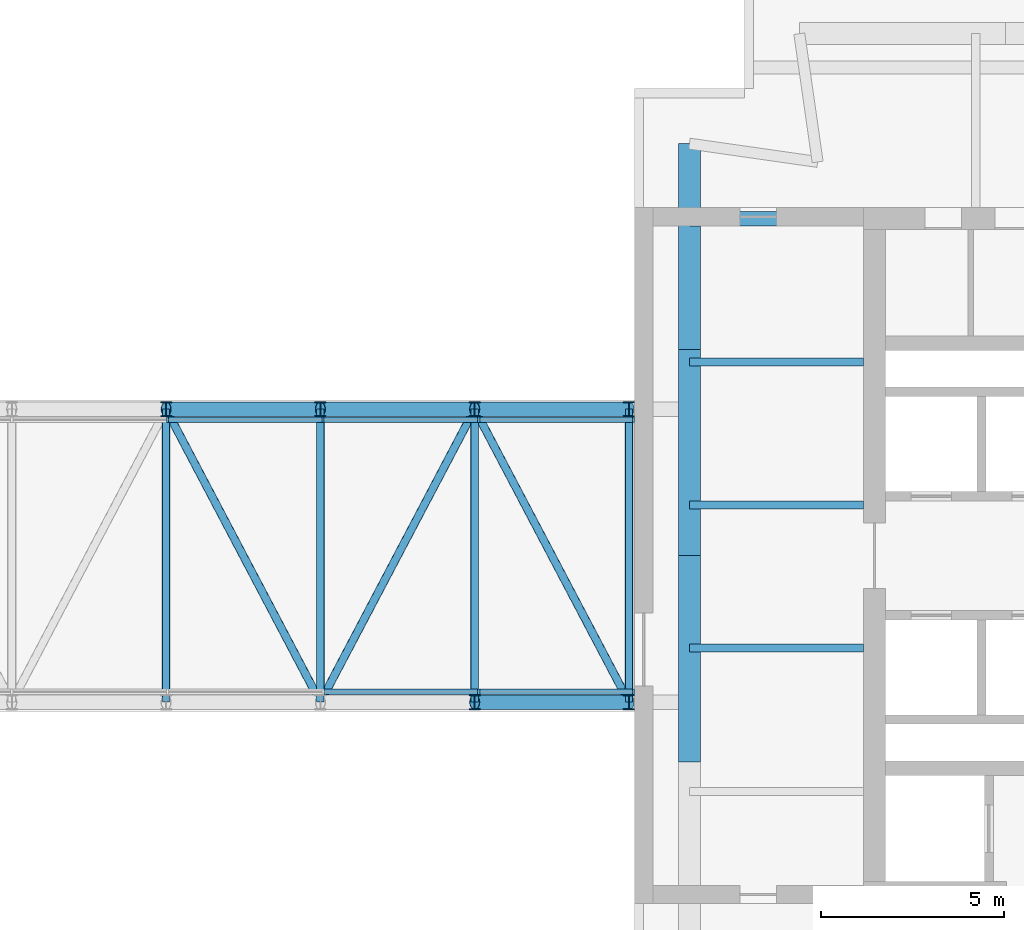
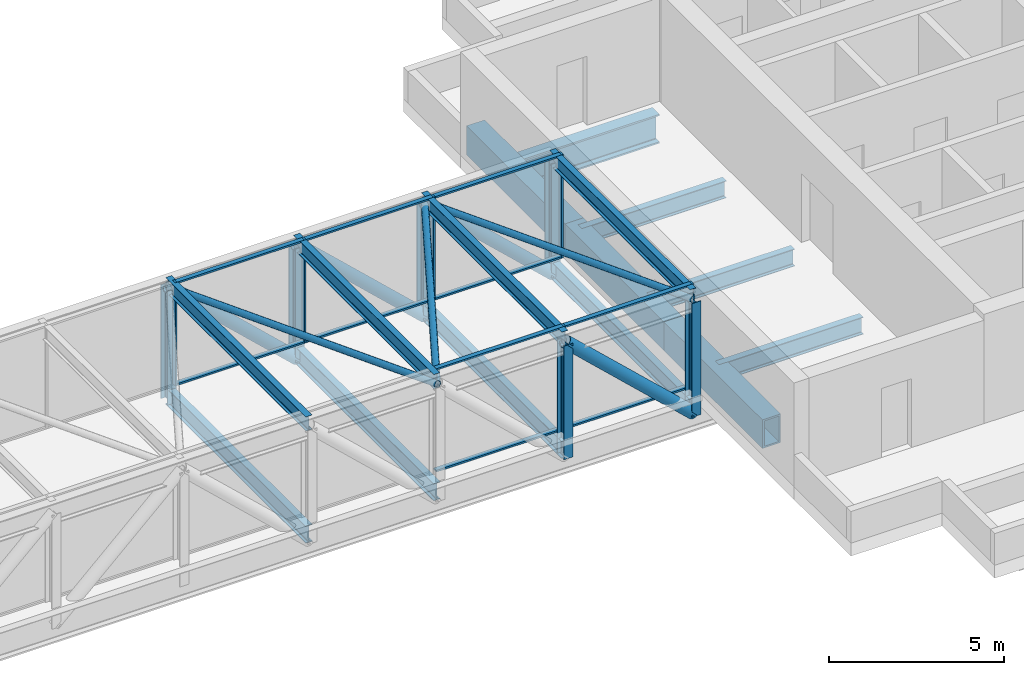
# One storey, part 9 of 19: 29 members, 15 beams, 2 elements without a shape of their own.
"""IFC4 building model written with IfcOpenShell, lengths in metres."""

from ifc_helpers import new_model, si_unit, direction, frame, origin, origin_2d, place, context, subcontext, project, spatial, rectangle, hollow_rectangle, hollow_circle, i_section, extrude, material, material_profile, profile_set, type_object, element, aggregate, save


model = new_model("IFC4")

# Units and contexts
model_context = context("Model", 3, precision=1e-05, world=origin(), true_north=direction((0.0, 1.0)))
body_context = subcontext(model_context, "Body", "Model", "MODEL_VIEW")
ifc_project = project(units=[si_unit("LENGTHUNIT", "METRE"), si_unit("AREAUNIT", "SQUARE_METRE"), si_unit("VOLUMEUNIT", "CUBIC_METRE"), si_unit("PLANEANGLEUNIT", "RADIAN"), si_unit("MASSUNIT", "GRAM", prefix="KILO")], contexts=[model_context])

# Site, building, storey
site_placement = place(None, origin())
site = spatial("IfcSite", under=ifc_project, at=site_placement, CompositionType="ELEMENT")
building_placement = place(site_placement, origin())
building = spatial("IfcBuilding", under=site, at=building_placement, Name="Ostroluk Exchange", CompositionType="ELEMENT")
storey_placement = place(building_placement, frame((0.0, 0.0, 131.199951171875)))
storey = spatial("IfcBuildingStorey", under=building, at=storey_placement, Name="L33", CompositionType="ELEMENT", Elevation=131.199951171875)

# Beams
ifc_material_1 = material(Name="Steel S355", Category="steel")
ifc_material_profile_1 = material_profile(ifc_material_1, i_section(OverallWidth=0.199951171875, OverallDepth=0.5, WebThickness=0.01025390625, FlangeThickness=0.01611328125, FilletRadius=0.02099609375, at=origin_2d()), Name="IPE 500")
ifc_profile_set_1 = profile_set([ifc_material_profile_1], Name="Steel S355")
beam_type_1 = type_object("IfcBeamType", Name="Bridge cross beam IPE 500", PredefinedType="BEAM", material=ifc_profile_set_1)
for number, where, z_axis, x_axis, name in (
    (1, (88.46240234375, 42.0, 3.35009765625), (0.0, 1.0, 0.0), (-1.0, 0.0, 0.0), "BR2 roof cross beam 6"),
    (2, (92.675048828125, 42.0, 3.35009765625), (0.0, 1.0, 0.0), (-1.0, 0.0, 0.0), "BR2 roof cross beam 7"),
    (3, (96.887451171875, 42.0, 3.35009765625), (0.0, 1.0, 0.0), (-1.0, 0.0, 0.0), "BR2 roof cross beam 8"),
    (4, (101.10009765625, 42.0, 3.35009765625), (0.0, 1.0, 0.0), (-1.0, 0.0, 0.0), "BR2 roof cross beam 9"),
):
    element("IfcBeam", number, at=place(storey_placement, frame(where, z_axis=z_axis, x_axis=x_axis)), inside=storey, type_object=beam_type_1, Name=name, PredefinedType="BEAM", context=body_context, shape_type="SweptSolid", body=[
        extrude(i_section(OverallWidth=0.199951171875, OverallDepth=0.5, WebThickness=0.01025390625, FlangeThickness=0.01611328125, FilletRadius=0.02099609375, at=origin_2d()), origin(), (0.0, 0.0, 1.0), 8.0),
    ])
ifc_material_2 = material(Name="Steel S355", Category="steel")
ifc_material_profile_2 = material_profile(ifc_material_2, i_section(OverallWidth=0.219970703125, OverallDepth=0.60009765625, WebThickness=0.011962890625, FlangeThickness=0.01904296875, FilletRadius=0.02392578125, at=origin_2d()), Name="IPE 600")
ifc_profile_set_2 = profile_set([ifc_material_profile_2], Name="Steel S355")
beam_type_2 = type_object("IfcBeamType", Name="Bridge cross beam IPE 600", PredefinedType="BEAM", material=ifc_profile_set_2)
for number, where, z_axis, x_axis, name in (
    (5, (88.46240234375, 42.0, -0.5), (0.0, 1.0, 0.0), (-1.0, 0.0, 0.0), "BR2 deck cross beam 6"),
    (6, (92.675048828125, 42.0, -0.5), (0.0, 1.0, 0.0), (-1.0, 0.0, 0.0), "BR2 deck cross beam 7"),
    (7, (96.887451171875, 42.0, -0.5), (0.0, 1.0, 0.0), (-1.0, 0.0, 0.0), "BR2 deck cross beam 8"),
    (8, (101.10009765625, 42.0, -0.5), (0.0, 1.0, 0.0), (-1.0, 0.0, 0.0), "BR2 deck cross beam 9"),
):
    element("IfcBeam", number, at=place(storey_placement, frame(where, z_axis=z_axis, x_axis=x_axis)), inside=storey, type_object=beam_type_2, Name=name, PredefinedType="BEAM", context=body_context, shape_type="SweptSolid", body=[
        extrude(i_section(OverallWidth=0.219970703125, OverallDepth=0.60009765625, WebThickness=0.011962890625, FlangeThickness=0.01904296875, FilletRadius=0.02392578125, at=origin_2d()), origin(), (0.0, 0.0, 1.0), 8.0),
    ])

# Curtain wall, members
ifc_material_3 = material(Name="Laminated clear glass", Category="glass")
curtain_wall_type = type_object("IfcCurtainWallType", Name="Bridge glazing", PredefinedType="USERDEFINED", material=ifc_material_3)
curtain_wall_1_placement = place(storey_placement, origin())
curtain_wall_1 = element("IfcCurtainWall", 9, at=curtain_wall_1_placement, inside=storey, type_object=curtain_wall_type, Name="Sky garden bridge south glazing", ObjectType="STICK CURTAIN WALL", PredefinedType="USERDEFINED")
ifc_material_4 = material(Name="Aluminium mullion", Category="aluminium")
ifc_material_profile_3 = material_profile(ifc_material_4, rectangle(XDim=0.14990234375, YDim=0.06005859375, at=origin_2d()), Name="Bridge mullion 60 x 150")
ifc_profile_set_3 = profile_set([ifc_material_profile_3], Name="Aluminium mullion")
member_type_1 = type_object("IfcMemberType", Name="Bridge mullion 60 x 150", PredefinedType="MULLION", material=ifc_profile_set_3)
member_1_placement = place(storey_placement, frame((97.0, 42.2900390625, 0.0), z_axis=(0.0, 0.0, 1.0), x_axis=(0.0, 1.0, 0.0)))
member_1 = element("IfcMember", 10, at=member_1_placement, type_object=member_type_1, Name="CW-BR1 mullion 8", PredefinedType="MULLION", context=body_context, shape_type="SweptSolid", body=[
    extrude(rectangle(XDim=0.14990234375, YDim=0.06005859375, at=origin_2d()), origin(), (0.0, 0.0, 1.0), 3.60009765625),
])
member_2_placement = place(storey_placement, frame((101.219970703125, 42.2900390625, 0.0), z_axis=(0.0, 0.0, 1.0), x_axis=(0.0, 1.0, 0.0)))
member_2 = element("IfcMember", 11, at=member_2_placement, type_object=member_type_1, Name="CW-BR1 mullion 9", PredefinedType="MULLION", context=body_context, shape_type="SweptSolid", body=[
    extrude(rectangle(XDim=0.14990234375, YDim=0.06005859375, at=origin_2d()), origin(), (0.0, 0.0, 1.0), 3.60009765625),
])

curtain_wall_2_placement = place(storey_placement, origin())
curtain_wall_2 = element("IfcCurtainWall", 12, at=curtain_wall_2_placement, inside=storey, type_object=curtain_wall_type, Name="Sky garden bridge north glazing", ObjectType="STICK CURTAIN WALL", PredefinedType="USERDEFINED")
member_3_placement = place(storey_placement, frame((101.219970703125, 49.7099609375, 0.0), z_axis=(0.0, 0.0, 1.0), x_axis=(0.0, -1.0, 0.0)))
member_3 = element("IfcMember", 13, at=member_3_placement, type_object=member_type_1, Name="CW-BR1 mullion 1", PredefinedType="MULLION", context=body_context, shape_type="SweptSolid", body=[
    extrude(rectangle(XDim=0.14990234375, YDim=0.06005859375, at=origin_2d()), origin(), (0.0, 0.0, 1.0), 3.60009765625),
])
member_4_placement = place(storey_placement, frame((97.0, 49.7099609375, 0.0), z_axis=(0.0, 0.0, 1.0), x_axis=(0.0, -1.0, 0.0)))
member_4 = element("IfcMember", 14, at=member_4_placement, type_object=member_type_1, Name="CW-BR1 mullion 2", PredefinedType="MULLION", context=body_context, shape_type="SweptSolid", body=[
    extrude(rectangle(XDim=0.14990234375, YDim=0.06005859375, at=origin_2d()), origin(), (0.0, 0.0, 1.0), 3.60009765625),
])
member_5_placement = place(storey_placement, frame((92.75, 49.7099609375, 0.0), z_axis=(0.0, 0.0, 1.0), x_axis=(0.0, -1.0, 0.0)))
member_5 = element("IfcMember", 15, at=member_5_placement, type_object=member_type_1, Name="CW-BR1 mullion 3", PredefinedType="MULLION", context=body_context, shape_type="SweptSolid", body=[
    extrude(rectangle(XDim=0.14990234375, YDim=0.06005859375, at=origin_2d()), origin(), (0.0, 0.0, 1.0), 3.60009765625),
])
member_6_placement = place(storey_placement, frame((88.5, 49.7099609375, 0.0), z_axis=(0.0, 0.0, 1.0), x_axis=(0.0, -1.0, 0.0)))
member_6 = element("IfcMember", 16, at=member_6_placement, type_object=member_type_1, Name="CW-BR1 mullion 4", PredefinedType="MULLION", context=body_context, shape_type="SweptSolid", body=[
    extrude(rectangle(XDim=0.14990234375, YDim=0.06005859375, at=origin_2d()), origin(), (0.0, 0.0, 1.0), 3.60009765625),
])

# Members
ifc_material_5 = material(Name="Steel S460", Category="steel")
ifc_material_profile_4 = material_profile(ifc_material_5, hollow_circle(Radius=0.109619140625, WallThickness=0.010009765625, at=origin_2d()), Name="CHS 219.1x10")
ifc_profile_set_4 = profile_set([ifc_material_profile_4], Name="Steel S460")
member_type_2 = type_object("IfcMemberType", Name="Bridge plan bracing CHS 219.1x10", PredefinedType="BRACE", material=ifc_profile_set_4)
for number, where, z_axis, x_axis, name in (
    (17, (88.46240234375, 50.0, 3.25), (0.465930052274, -0.88482155624, 0.0), (0.88482155624, 0.465930052274, 0.0), "BR2 roof plan brace 6"),
    (18, (92.675048828125, 42.0, 3.25), (0.465908911283, 0.884832688358, 0.0), (-0.884832688358, 0.465908911283, 0.0), "BR2 roof plan brace 7"),
    (19, (96.887451171875, 50.0, 3.25), (0.465930052274, -0.88482155624, 0.0), (0.88482155624, 0.465930052274, 0.0), "BR2 roof plan brace 8"),
):
    element("IfcMember", number, at=place(storey_placement, frame(where, z_axis=z_axis, x_axis=x_axis)), inside=storey, type_object=member_type_2, Name=name, PredefinedType="BRACE", context=body_context, shape_type="SweptSolid", body=[
        extrude(hollow_circle(Radius=0.109619140625, WallThickness=0.010009765625, at=origin_2d()), origin(), (0.0, 0.0, 1.0), 9.041259765625),
    ])

# Member
ifc_material_6 = material(Name="Aluminium mullion", Category="aluminium")
ifc_material_profile_5 = material_profile(ifc_material_6, rectangle(XDim=0.14990234375, YDim=0.06005859375, at=origin_2d()), Name="Bridge transom 60 x 150")
ifc_profile_set_5 = profile_set([ifc_material_profile_5], Name="Aluminium mullion")
member_type_3 = type_object("IfcMemberType", Name="Bridge transom 60 x 150", PredefinedType="USERDEFINED", material=ifc_profile_set_5)
member_7_placement = place(storey_placement, frame((92.780029296875, 42.2900390625, 0.030029296875), z_axis=(1.0, 0.0, 0.0), x_axis=(0.0, 1.0, 0.0)))
member_7 = element("IfcMember", 20, at=member_7_placement, type_object=member_type_3, Name="CW-BR1 transom 7.1", ObjectType="TRANSOM", PredefinedType="USERDEFINED", context=body_context, shape_type="SweptSolid", body=[
    extrude(rectangle(XDim=0.14990234375, YDim=0.06005859375, at=origin_2d()), origin(), (0.0, 0.0, 1.0), 4.18994140625),
])

member_8_placement = place(storey_placement, frame((92.780029296875, 42.2900390625, 3.570068359375), z_axis=(1.0, 0.0, 0.0), x_axis=(0.0, 1.0, 0.0)))
member_8 = element("IfcMember", 21, at=member_8_placement, type_object=member_type_3, Name="CW-BR1 transom 7.2", ObjectType="TRANSOM", PredefinedType="USERDEFINED", context=body_context, shape_type="SweptSolid", body=[
    extrude(rectangle(XDim=0.14990234375, YDim=0.06005859375, at=origin_2d()), origin(), (0.0, 0.0, 1.0), 4.18994140625),
])

member_9_placement = place(storey_placement, frame((97.030029296875, 42.2900390625, 0.030029296875), z_axis=(1.0, 0.0, 0.0), x_axis=(0.0, 1.0, 0.0)))
member_9 = element("IfcMember", 22, at=member_9_placement, type_object=member_type_3, Name="CW-BR1 transom 8.1", ObjectType="TRANSOM", PredefinedType="USERDEFINED", context=body_context, shape_type="SweptSolid", body=[
    extrude(rectangle(XDim=0.14990234375, YDim=0.06005859375, at=origin_2d()), origin(), (0.0, 0.0, 1.0), 4.159912109375),
])

member_10_placement = place(storey_placement, frame((97.030029296875, 42.2900390625, 3.570068359375), z_axis=(1.0, 0.0, 0.0), x_axis=(0.0, 1.0, 0.0)))
member_10 = element("IfcMember", 23, at=member_10_placement, type_object=member_type_3, Name="CW-BR1 transom 8.2", ObjectType="TRANSOM", PredefinedType="USERDEFINED", context=body_context, shape_type="SweptSolid", body=[
    extrude(rectangle(XDim=0.14990234375, YDim=0.06005859375, at=origin_2d()), origin(), (0.0, 0.0, 1.0), 4.159912109375),
])

aggregate(curtain_wall_1, [member_1, member_2, member_7, member_8, member_9, member_10])

member_11_placement = place(storey_placement, frame((101.18994140625, 49.7099609375, 0.030029296875), z_axis=(-1.0, 0.0, 0.0), x_axis=(0.0, -1.0, 0.0)))
member_11 = element("IfcMember", 24, at=member_11_placement, type_object=member_type_3, Name="CW-BR1 transom 1.1", ObjectType="TRANSOM", PredefinedType="USERDEFINED", context=body_context, shape_type="SweptSolid", body=[
    extrude(rectangle(XDim=0.14990234375, YDim=0.06005859375, at=origin_2d()), origin(), (0.0, 0.0, 1.0), 4.159912109375),
])

member_12_placement = place(storey_placement, frame((101.18994140625, 49.7099609375, 3.570068359375), z_axis=(-1.0, 0.0, 0.0), x_axis=(0.0, -1.0, 0.0)))
member_12 = element("IfcMember", 25, at=member_12_placement, type_object=member_type_3, Name="CW-BR1 transom 1.2", ObjectType="TRANSOM", PredefinedType="USERDEFINED", context=body_context, shape_type="SweptSolid", body=[
    extrude(rectangle(XDim=0.14990234375, YDim=0.06005859375, at=origin_2d()), origin(), (0.0, 0.0, 1.0), 4.159912109375),
])

member_13_placement = place(storey_placement, frame((96.969970703125, 49.7099609375, 0.030029296875), z_axis=(-1.0, 0.0, 0.0), x_axis=(0.0, -1.0, 0.0)))
member_13 = element("IfcMember", 26, at=member_13_placement, type_object=member_type_3, Name="CW-BR1 transom 2.1", ObjectType="TRANSOM", PredefinedType="USERDEFINED", context=body_context, shape_type="SweptSolid", body=[
    extrude(rectangle(XDim=0.14990234375, YDim=0.06005859375, at=origin_2d()), origin(), (0.0, 0.0, 1.0), 4.18994140625),
])

member_14_placement = place(storey_placement, frame((96.969970703125, 49.7099609375, 3.570068359375), z_axis=(-1.0, 0.0, 0.0), x_axis=(0.0, -1.0, 0.0)))
member_14 = element("IfcMember", 27, at=member_14_placement, type_object=member_type_3, Name="CW-BR1 transom 2.2", ObjectType="TRANSOM", PredefinedType="USERDEFINED", context=body_context, shape_type="SweptSolid", body=[
    extrude(rectangle(XDim=0.14990234375, YDim=0.06005859375, at=origin_2d()), origin(), (0.0, 0.0, 1.0), 4.18994140625),
])

member_15_placement = place(storey_placement, frame((92.719970703125, 49.7099609375, 0.030029296875), z_axis=(-1.0, 0.0, 0.0), x_axis=(0.0, -1.0, 0.0)))
member_15 = element("IfcMember", 28, at=member_15_placement, type_object=member_type_3, Name="CW-BR1 transom 3.1", ObjectType="TRANSOM", PredefinedType="USERDEFINED", context=body_context, shape_type="SweptSolid", body=[
    extrude(rectangle(XDim=0.14990234375, YDim=0.06005859375, at=origin_2d()), origin(), (0.0, 0.0, 1.0), 4.18994140625),
])

member_16_placement = place(storey_placement, frame((92.719970703125, 49.7099609375, 3.570068359375), z_axis=(-1.0, 0.0, 0.0), x_axis=(0.0, -1.0, 0.0)))
member_16 = element("IfcMember", 29, at=member_16_placement, type_object=member_type_3, Name="CW-BR1 transom 3.2", ObjectType="TRANSOM", PredefinedType="USERDEFINED", context=body_context, shape_type="SweptSolid", body=[
    extrude(rectangle(XDim=0.14990234375, YDim=0.06005859375, at=origin_2d()), origin(), (0.0, 0.0, 1.0), 4.18994140625),
])

aggregate(curtain_wall_2, [member_3, member_4, member_5, member_6, member_11, member_12, member_13, member_14, member_15, member_16])

# Members
ifc_material_7 = material(Name="Steel S460", Category="steel")
ifc_material_profile_6 = material_profile(ifc_material_7, hollow_circle(Radius=0.203125, WallThickness=0.01611328125, at=origin_2d()), Name="CHS 406.4x16")
ifc_profile_set_6 = profile_set([ifc_material_profile_6], Name="Steel S460")
member_type_4 = type_object("IfcMemberType", Name="Bridge truss diagonal CHS 406.4x16", PredefinedType="BRACE", material=ifc_profile_set_6)
for number, where, z_axis, x_axis, name in (
    (30, (101.10009765625, 42.0, -0.7060546875), (-0.72895858284, 0.0, 0.684557802164), (0.0, -1.0, 0.0), "BR2 S diagonal 8"),
    (31, (92.675048828125, 50.0, -0.7060546875), (-0.72895858284, 0.0, 0.684557802164), (0.0, -1.0, 0.0), "BR2 N diagonal 6"),
):
    element("IfcMember", number, at=place(storey_placement, frame(where, z_axis=z_axis, x_axis=x_axis)), inside=storey, type_object=member_type_4, Name=name, PredefinedType="BRACE", context=body_context, shape_type="SweptSolid", body=[
        extrude(hollow_circle(Radius=0.203125, WallThickness=0.01611328125, at=origin_2d()), origin(), (0.0, 0.0, 1.0), 5.779052734375),
    ])
member_17_placement = place(storey_placement, frame((96.887451171875, 50.0, -0.7060546875), z_axis=(-0.728938784526, 0.0, 0.684578883996), x_axis=(0.0, -1.0, 0.0)))
element("IfcMember", 32, at=member_17_placement, inside=storey, type_object=member_type_4, Name="BR2 N diagonal 7", PredefinedType="BRACE", context=body_context, shape_type="SweptSolid", body=[
    extrude(hollow_circle(Radius=0.203125, WallThickness=0.01611328125, at=origin_2d()), origin(), (0.0, 0.0, 1.0), 5.77880859375),
])
member_18_placement = place(storey_placement, frame((101.10009765625, 50.0, -0.7060546875), z_axis=(-0.72895858284, 0.0, 0.684557802164), x_axis=(0.0, -1.0, 0.0)))
element("IfcMember", 33, at=member_18_placement, inside=storey, type_object=member_type_4, Name="BR2 N diagonal 8", PredefinedType="BRACE", context=body_context, shape_type="SweptSolid", body=[
    extrude(hollow_circle(Radius=0.203125, WallThickness=0.01611328125, at=origin_2d()), origin(), (0.0, 0.0, 1.0), 5.779052734375),
])
ifc_material_8 = material(Name="Steel S460", Category="steel")
ifc_material_profile_7 = material_profile(ifc_material_8, i_section(OverallWidth=0.300048828125, OverallDepth=0.39990234375, WebThickness=0.013427734375, FlangeThickness=0.02392578125, FilletRadius=0.027099609375, at=origin_2d()), Name="HEB 400")
ifc_profile_set_7 = profile_set([ifc_material_profile_7], Name="Steel S460")
member_type_5 = type_object("IfcMemberType", Name="Bridge truss post HEB 400", PredefinedType="POST", material=ifc_profile_set_7)
for number, where, z_axis, x_axis, name in (
    (34, (96.887451171875, 42.0, -0.7060546875), (0.0, 0.0, 1.0), (1.0, 0.0, 0.0), "BR2 S post 8"),
    (35, (101.10009765625, 42.0, -0.7060546875), (0.0, 0.0, 1.0), (1.0, 0.0, 0.0), "BR2 S end post 9"),
    (36, (88.46240234375, 50.0, -0.7060546875), (0.0, 0.0, 1.0), (1.0, 0.0, 0.0), "BR2 N post 6"),
    (37, (92.675048828125, 50.0, -0.7060546875), (0.0, 0.0, 1.0), (1.0, 0.0, 0.0), "BR2 N post 7"),
    (38, (96.887451171875, 50.0, -0.7060546875), (0.0, 0.0, 1.0), (1.0, 0.0, 0.0), "BR2 N post 8"),
    (39, (101.10009765625, 50.0, -0.7060546875), (0.0, 0.0, 1.0), (1.0, 0.0, 0.0), "BR2 N end post 9"),
):
    element("IfcMember", number, at=place(storey_placement, frame(where, z_axis=z_axis, x_axis=x_axis)), inside=storey, type_object=member_type_5, Name=name, PredefinedType="POST", context=body_context, shape_type="SweptSolid", body=[
        extrude(i_section(OverallWidth=0.300048828125, OverallDepth=0.39990234375, WebThickness=0.013427734375, FlangeThickness=0.02392578125, FilletRadius=0.027099609375, at=origin_2d()), origin(), (0.0, 0.0, 1.0), 3.9560546875),
    ])

# Beams
ifc_material_9 = material(Name="Steel S355", Category="steel")
ifc_material_profile_8 = material_profile(ifc_material_9, i_section(OverallWidth=0.219970703125, OverallDepth=0.60009765625, WebThickness=0.011962890625, FlangeThickness=0.01904296875, FilletRadius=0.02392578125, at=origin_2d()), Name="IPE 600")
ifc_profile_set_8 = profile_set([ifc_material_profile_8], Name="Steel S355")
beam_type_3 = type_object("IfcBeamType", Name="Floor beam IPE 600", PredefinedType="BEAM", material=ifc_profile_set_8)
for number, where, z_axis, x_axis, name in (
    (40, (107.5, 51.291748046875, -0.75), (-1.0, 0.0, 0.0), (0.0, -1.0, 0.0), "T2 west floor beam 1"),
    (41, (107.5, 47.38330078125, -0.75), (-1.0, 0.0, 0.0), (0.0, -1.0, 0.0), "T2 west floor beam 2"),
    (42, (107.5, 43.47509765625, -0.75), (-1.0, 0.0, 0.0), (0.0, -1.0, 0.0), "T2 west floor beam 3"),
):
    element("IfcBeam", number, at=place(storey_placement, frame(where, z_axis=z_axis, x_axis=x_axis)), inside=storey, type_object=beam_type_3, Name=name, PredefinedType="BEAM", context=body_context, shape_type="SweptSolid", body=[
        extrude(i_section(OverallWidth=0.219970703125, OverallDepth=0.60009765625, WebThickness=0.011962890625, FlangeThickness=0.01904296875, FilletRadius=0.02392578125, at=origin_2d()), origin(), (0.0, 0.0, 1.0), 4.75),
    ])
ifc_material_10 = material(Name="Steel S355", Category="steel")
ifc_material_profile_9 = material_profile(ifc_material_10, i_section(OverallWidth=0.402099609375, OverallDepth=1.011962890625, WebThickness=0.035888671875, FlangeThickness=0.055908203125, FilletRadius=0.030029296875, at=origin_2d()), Name="HL 1000x443")
ifc_profile_set_9 = profile_set([ifc_material_profile_9], Name="Steel S355")
beam_type_4 = type_object("IfcBeamType", Name="Girder HL 1000x443", PredefinedType="BEAM", material=ifc_profile_set_9)
beam_placement = place(storey_placement, frame((107.5, 55.199951171875, -0.9560546875), z_axis=(-1.0, 0.0, 0.0), x_axis=(0.0, -1.0, 0.0)))
element("IfcBeam", 43, at=beam_placement, inside=storey, type_object=beam_type_4, Name="T2 north girder", PredefinedType="BEAM", context=body_context, shape_type="SweptSolid", body=[
    extrude(i_section(OverallWidth=0.402099609375, OverallDepth=1.011962890625, WebThickness=0.035888671875, FlangeThickness=0.055908203125, FilletRadius=0.030029296875, at=origin_2d()), origin(), (0.0, 0.0, 1.0), 4.75),
])
ifc_material_11 = material(Name="Steel S355", Category="steel")
ifc_material_profile_10 = material_profile(ifc_material_11, hollow_rectangle(XDim=0.60009765625, YDim=1.0, WallThickness=0.06005859375, at=origin_2d()), Name="BOX 600x1000x60")
ifc_profile_set_10 = profile_set([ifc_material_profile_10], Name="Steel S355")
beam_type_5 = type_object("IfcBeamType", Name="Moment-connected edge beam BOX 600x1000x60", PredefinedType="SPANDREL", material=ifc_profile_set_10)
for number, where, z_axis, x_axis, name in (
    (44, (102.75, 57.25, -0.949951171875), (0.0, -1.0, 0.0), (1.0, 0.0, 0.0), "T2 west edge beam 1"),
    (45, (102.75, 51.625, -0.949951171875), (0.0, -1.0, 0.0), (1.0, 0.0, 0.0), "T2 west edge beam 2"),
    (46, (102.75, 46.0, -0.949951171875), (0.0, -1.0, 0.0), (1.0, 0.0, 0.0), "T2 west edge beam 3"),
):
    element("IfcBeam", number, at=place(storey_placement, frame(where, z_axis=z_axis, x_axis=x_axis)), inside=storey, type_object=beam_type_5, Name=name, PredefinedType="SPANDREL", context=body_context, shape_type="SweptSolid", body=[
        extrude(hollow_rectangle(XDim=0.60009765625, YDim=1.0, WallThickness=0.06005859375, at=origin_2d()), origin(), (0.0, 0.0, 1.0), 5.625),
    ])

save(model, "model.ifc")
